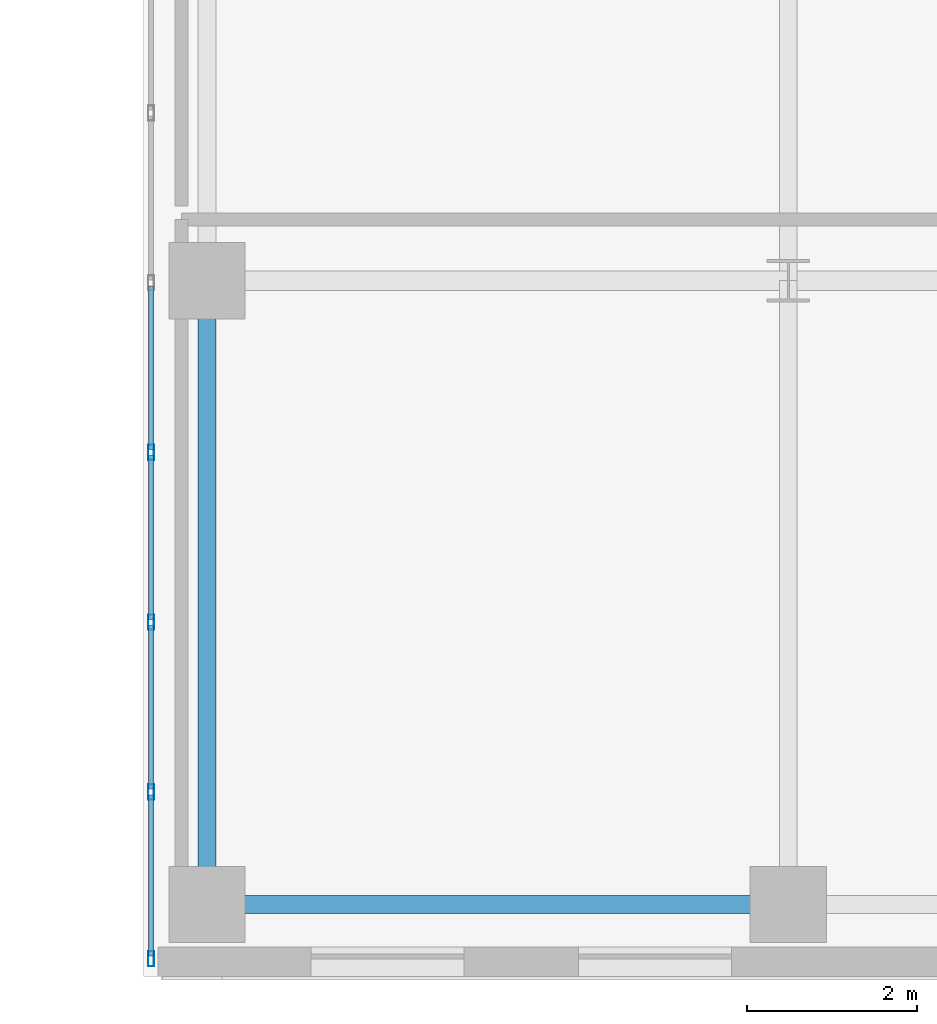
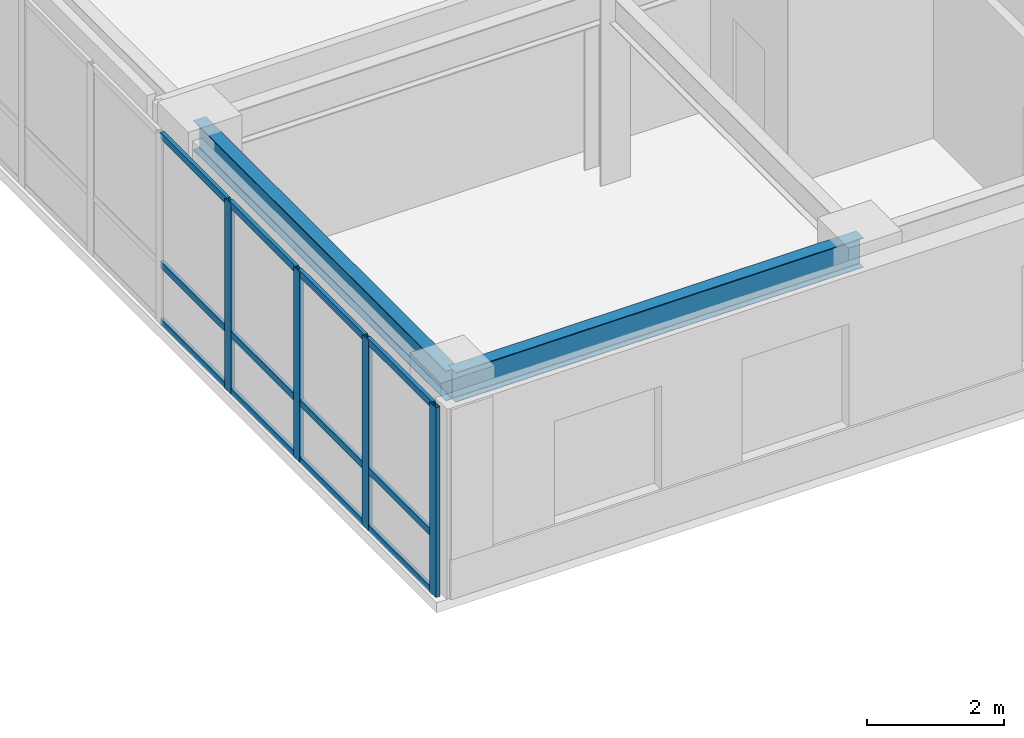
# One storey, part 14 of 37: 16 members, 2 beams, 1 element without a shape of its own.
"""IFC4 building model written with IfcOpenShell, lengths in metres."""

from ifc_helpers import new_model, si_unit, direction, frame, origin, origin_2d, place, context, subcontext, project, spatial, hollow_rectangle, i_section, extrude, source, transform, mapped, material, layer, layer_set, material_profile, profile_set, type_object, type_shapes, element, aggregate, save


model = new_model("IFC4")

# Units and contexts
model_context = context("Model", 3, precision=1e-05, world=origin(), true_north=direction((0.0, 1.0)))
body_context = subcontext(model_context, "Body", "Model", "MODEL_VIEW")
ifc_project = project(units=[si_unit("LENGTHUNIT", "METRE"), si_unit("AREAUNIT", "SQUARE_METRE"), si_unit("VOLUMEUNIT", "CUBIC_METRE"), si_unit("PLANEANGLEUNIT", "RADIAN"), si_unit("MASSUNIT", "GRAM", prefix="KILO")], contexts=[model_context])

# Site, building, storey
site_placement = place(None, origin())
site = spatial("IfcSite", under=ifc_project, at=site_placement, CompositionType="ELEMENT")
building_placement = place(site_placement, origin())
building = spatial("IfcBuilding", under=site, at=building_placement, Name="Tolvann Quenvar Hotel", CompositionType="ELEMENT")
storey_placement = place(building_placement, frame((0.0, 0.0, 104.449951171875)))
storey = spatial("IfcBuildingStorey", under=building, at=storey_placement, Name="L26", CompositionType="ELEMENT", Elevation=104.449951171875)

# Beams
ifc_material_1 = material(Name="Steel Grade 350", Category="steel")
ifc_material_profile_1 = material_profile(ifc_material_1, i_section(OverallWidth=0.208984375, OverallDepth=0.528076171875, WebThickness=0.009521484375, FlangeThickness=0.01318359375, FilletRadius=0.013916015625, at=origin_2d()), Name="530UB82")
ifc_profile_set_1 = profile_set([ifc_material_profile_1], Name="Steel Grade 350")
beam_type_1 = type_object("IfcBeamType", Name="BM_SPAND_530UB82", PredefinedType="SPANDREL", material=ifc_profile_set_1)
shared_shape_1 = source(origin(), body_context, "Body", "SweptSolid", [
    extrude(i_section(OverallWidth=0.208984375, OverallDepth=0.528076171875, WebThickness=0.009521484375, FlangeThickness=0.01318359375, FilletRadius=0.013916015625, at=origin_2d()), origin(), (0.0, 0.0, 1.0), 6.85009765625),
])
type_shapes(beam_type_1, [shared_shape_1])
beam_1_placement = place(storey_placement, frame((34.949951171875, 0.85009765625, 3.10595703125), z_axis=(1.0, 0.0, 0.0), x_axis=(0.0, 1.0, 0.0)))
element("IfcBeam", 1, at=beam_1_placement, inside=storey, type_object=beam_type_1, Name="BM-L26-EW-2-F2-H2", PredefinedType="SPANDREL", context=body_context, shape_type="MappedRepresentation", body=[
    mapped(shared_shape_1, transform((0.0, 0.0, 0.0), x_axis=(1.0, 0.0, 0.0), y_axis=(0.0, 1.0, 0.0), z_axis=(0.0, 0.0, 1.0), scale=1.0)),
])
ifc_material_profile_2 = material_profile(ifc_material_1, i_section(OverallWidth=0.208984375, OverallDepth=0.532958984375, WebThickness=0.01025390625, FlangeThickness=0.015625, FilletRadius=0.013916015625, at=origin_2d()), Name="530UB92")
ifc_profile_set_2 = profile_set([ifc_material_profile_2], Name="Steel Grade 350")
beam_type_2 = type_object("IfcBeamType", Name="BM_GIRD_530UB92", PredefinedType="BEAM", material=ifc_profile_set_2)
shared_shape_2 = source(origin(), body_context, "Body", "SweptSolid", [
    extrude(i_section(OverallWidth=0.208984375, OverallDepth=0.532958984375, WebThickness=0.01025390625, FlangeThickness=0.015625, FilletRadius=0.013916015625, at=origin_2d()), origin(), (0.0, 0.0, 1.0), 7.349853515625),
])
type_shapes(beam_type_2, [shared_shape_2])
beam_2_placement = place(storey_placement, frame((34.949951171875, 0.85009765625, 3.103515625), z_axis=(0.0, 1.0, 0.0), x_axis=(-1.0, 0.0, 0.0)))
element("IfcBeam", 2, at=beam_2_placement, inside=storey, type_object=beam_type_2, Name="BM-L26-NS-F2-F3", PredefinedType="BEAM", context=body_context, shape_type="MappedRepresentation", body=[
    mapped(shared_shape_2, transform((0.0, 0.0, 0.0), x_axis=(1.0, 0.0, 0.0), y_axis=(0.0, 1.0, 0.0), z_axis=(0.0, 0.0, 1.0), scale=1.0)),
])

# Curtain wall, members
ifc_material_2 = material(Name="Thermally broken anodised architectural aluminium 6063-T6 and laminated low-E glass", Category="aluminium")
ifc_layer = layer(ifc_material_2, 0.179931640625)
ifc_layer_set = layer_set([ifc_layer], Name="Thermally broken anodised architectural aluminium 6063-T6 and laminated low-E glass")
curtain_wall_type = type_object("IfcCurtainWallType", Name="CW_SYS_SLOT_03", PredefinedType="USERDEFINED", material=ifc_layer_set)
curtain_wall_placement = place(storey_placement, origin())
curtain_wall = element("IfcCurtainWall", 3, at=curtain_wall_placement, inside=storey, type_object=curtain_wall_type, Name="Curtain Wall CW-SLOT-03 (CWR-L26-E07)", ObjectType="UNITISED CURTAIN WALL", PredefinedType="USERDEFINED")
ifc_material_3 = material(Name="Anodised architectural aluminium 6063-T6 framing", Category="aluminium")
ifc_material_profile_3 = material_profile(ifc_material_3, hollow_rectangle(XDim=0.070068359375, YDim=0.179931640625, WallThickness=0.00390625, at=origin_2d()), Name="180x70x4RHS")
ifc_profile_set_3 = profile_set([ifc_material_profile_3], Name="Anodised architectural aluminium 6063-T6 framing")
member_type_1 = type_object("IfcMemberType", Name="CW_MULL_180x70", PredefinedType="MULLION", material=ifc_profile_set_3)
shared_shape_3 = source(origin(), body_context, "Body", "SweptSolid", [
    extrude(hollow_rectangle(XDim=0.070068359375, YDim=0.179931640625, WallThickness=0.00390625, at=origin_2d()), origin(), (0.0, 0.0, 1.0), 3.3701171875),
])
type_shapes(member_type_1, [shared_shape_3])
member_1_placement = place(storey_placement, frame((34.2900390625, 6.175048828125, 0.0), z_axis=(0.0, 0.0, 1.0), x_axis=(1.0, 0.0, 0.0)))
member_1 = element("IfcMember", 4, at=member_1_placement, type_object=member_type_1, Name="CW-SLOT-03 mullion 6", PredefinedType="MULLION", context=body_context, shape_type="MappedRepresentation", body=[
    mapped(shared_shape_3, transform((0.0, 0.0, 0.0), x_axis=(1.0, 0.0, 0.0), y_axis=(0.0, 1.0, 0.0), z_axis=(0.0, 0.0, 1.0), scale=1.0)),
])
member_2_placement = place(storey_placement, frame((34.2900390625, 4.175048828125, 0.0), z_axis=(0.0, 0.0, 1.0), x_axis=(1.0, 0.0, 0.0)))
member_2 = element("IfcMember", 5, at=member_2_placement, type_object=member_type_1, Name="CW-SLOT-03 mullion 7", PredefinedType="MULLION", context=body_context, shape_type="MappedRepresentation", body=[
    mapped(shared_shape_3, transform((0.0, 0.0, 0.0), x_axis=(1.0, 0.0, 0.0), y_axis=(0.0, 1.0, 0.0), z_axis=(0.0, 0.0, 1.0), scale=1.0)),
])
member_3_placement = place(storey_placement, frame((34.2900390625, 2.175048828125, 0.0), z_axis=(0.0, 0.0, 1.0), x_axis=(1.0, 0.0, 0.0)))
member_3 = element("IfcMember", 6, at=member_3_placement, type_object=member_type_1, Name="CW-SLOT-03 mullion 8", PredefinedType="MULLION", context=body_context, shape_type="MappedRepresentation", body=[
    mapped(shared_shape_3, transform((0.0, 0.0, 0.0), x_axis=(1.0, 0.0, 0.0), y_axis=(0.0, 1.0, 0.0), z_axis=(0.0, 0.0, 1.0), scale=1.0)),
])
member_4_placement = place(storey_placement, frame((34.2900390625, 0.2099609375, 0.0), z_axis=(0.0, 0.0, 1.0), x_axis=(1.0, 0.0, 0.0)))
member_4 = element("IfcMember", 7, at=member_4_placement, type_object=member_type_1, Name="CW-SLOT-03 mullion 9", PredefinedType="MULLION", context=body_context, shape_type="MappedRepresentation", body=[
    mapped(shared_shape_3, transform((0.0, 0.0, 0.0), x_axis=(1.0, 0.0, 0.0), y_axis=(0.0, 1.0, 0.0), z_axis=(0.0, 0.0, 1.0), scale=1.0)),
])
ifc_material_profile_4 = material_profile(ifc_material_3, hollow_rectangle(XDim=0.06005859375, YDim=0.1201171875, WallThickness=0.00341796875, at=origin_2d()), Name="120x60x3.5RHS")
ifc_profile_set_4 = profile_set([ifc_material_profile_4], Name="Anodised architectural aluminium 6063-T6 framing")
member_type_2 = type_object("IfcMemberType", Name="CW_TRAN_120x60", PredefinedType="USERDEFINED", material=ifc_profile_set_4)
shared_shape_4 = source(origin(), body_context, "Body", "SweptSolid", [
    extrude(hollow_rectangle(XDim=0.06005859375, YDim=0.1201171875, WallThickness=0.00341796875, at=origin_2d()), origin(), (0.0, 0.0, 1.0), 1.894775390625),
])
member_5_placement = place(storey_placement, frame((34.2900390625, 2.139892578125, 0.030029296875), z_axis=(0.0, -1.0, 0.0), x_axis=(1.0, 0.0, 0.0)))
member_5 = element("IfcMember", 8, at=member_5_placement, type_object=member_type_2, Name="CW-SLOT-03 transom 8.1", ObjectType="TRANSOM", PredefinedType="USERDEFINED", context=body_context, shape_type="MappedRepresentation", body=[
    mapped(shared_shape_4, transform((0.0, 0.0, 0.0), x_axis=(1.0, 0.0, 0.0), y_axis=(0.0, 1.0, 0.0), z_axis=(0.0, 0.0, 1.0), scale=1.0)),
])
member_6_placement = place(storey_placement, frame((34.2900390625, 2.139892578125, 1.050048828125), z_axis=(0.0, -1.0, 0.0), x_axis=(1.0, 0.0, 0.0)))
member_6 = element("IfcMember", 9, at=member_6_placement, type_object=member_type_2, Name="CW-SLOT-03 transom 8.2", ObjectType="TRANSOM", PredefinedType="USERDEFINED", context=body_context, shape_type="MappedRepresentation", body=[
    mapped(shared_shape_4, transform((0.0, 0.0, 0.0), x_axis=(1.0, 0.0, 0.0), y_axis=(0.0, 1.0, 0.0), z_axis=(0.0, 0.0, 1.0), scale=1.0)),
])
member_7_placement = place(storey_placement, frame((34.2900390625, 2.139892578125, 3.340087890625), z_axis=(0.0, -1.0, 0.0), x_axis=(1.0, 0.0, 0.0)))
member_7 = element("IfcMember", 10, at=member_7_placement, type_object=member_type_2, Name="CW-SLOT-03 transom 8.3", ObjectType="TRANSOM", PredefinedType="USERDEFINED", context=body_context, shape_type="MappedRepresentation", body=[
    mapped(shared_shape_4, transform((0.0, 0.0, 0.0), x_axis=(1.0, 0.0, 0.0), y_axis=(0.0, 1.0, 0.0), z_axis=(0.0, 0.0, 1.0), scale=1.0)),
])
shared_shape_5 = source(origin(), body_context, "Body", "SweptSolid", [
    extrude(hollow_rectangle(XDim=0.06005859375, YDim=0.1201171875, WallThickness=0.00341796875, at=origin_2d()), origin(), (0.0, 0.0, 1.0), 1.929931640625),
])
type_shapes(member_type_2, [shared_shape_4, shared_shape_5])
member_8_placement = place(storey_placement, frame((34.2900390625, 8.139892578125, 0.030029296875), z_axis=(0.0, -1.0, 0.0), x_axis=(1.0, 0.0, 0.0)))
member_8 = element("IfcMember", 11, at=member_8_placement, type_object=member_type_2, Name="CW-SLOT-03 transom 5.1", ObjectType="TRANSOM", PredefinedType="USERDEFINED", context=body_context, shape_type="MappedRepresentation", body=[
    mapped(shared_shape_5, transform((0.0, 0.0, 0.0), x_axis=(1.0, 0.0, 0.0), y_axis=(0.0, 1.0, 0.0), z_axis=(0.0, 0.0, 1.0), scale=1.0)),
])
member_9_placement = place(storey_placement, frame((34.2900390625, 8.139892578125, 1.050048828125), z_axis=(0.0, -1.0, 0.0), x_axis=(1.0, 0.0, 0.0)))
member_9 = element("IfcMember", 12, at=member_9_placement, type_object=member_type_2, Name="CW-SLOT-03 transom 5.2", ObjectType="TRANSOM", PredefinedType="USERDEFINED", context=body_context, shape_type="MappedRepresentation", body=[
    mapped(shared_shape_5, transform((0.0, 0.0, 0.0), x_axis=(1.0, 0.0, 0.0), y_axis=(0.0, 1.0, 0.0), z_axis=(0.0, 0.0, 1.0), scale=1.0)),
])
member_10_placement = place(storey_placement, frame((34.2900390625, 8.139892578125, 3.340087890625), z_axis=(0.0, -1.0, 0.0), x_axis=(1.0, 0.0, 0.0)))
member_10 = element("IfcMember", 13, at=member_10_placement, type_object=member_type_2, Name="CW-SLOT-03 transom 5.3", ObjectType="TRANSOM", PredefinedType="USERDEFINED", context=body_context, shape_type="MappedRepresentation", body=[
    mapped(shared_shape_5, transform((0.0, 0.0, 0.0), x_axis=(1.0, 0.0, 0.0), y_axis=(0.0, 1.0, 0.0), z_axis=(0.0, 0.0, 1.0), scale=1.0)),
])
member_11_placement = place(storey_placement, frame((34.2900390625, 6.139892578125, 0.030029296875), z_axis=(0.0, -1.0, 0.0), x_axis=(1.0, 0.0, 0.0)))
member_11 = element("IfcMember", 14, at=member_11_placement, type_object=member_type_2, Name="CW-SLOT-03 transom 6.1", ObjectType="TRANSOM", PredefinedType="USERDEFINED", context=body_context, shape_type="MappedRepresentation", body=[
    mapped(shared_shape_5, transform((0.0, 0.0, 0.0), x_axis=(1.0, 0.0, 0.0), y_axis=(0.0, 1.0, 0.0), z_axis=(0.0, 0.0, 1.0), scale=1.0)),
])
member_12_placement = place(storey_placement, frame((34.2900390625, 6.139892578125, 1.050048828125), z_axis=(0.0, -1.0, 0.0), x_axis=(1.0, 0.0, 0.0)))
member_12 = element("IfcMember", 15, at=member_12_placement, type_object=member_type_2, Name="CW-SLOT-03 transom 6.2", ObjectType="TRANSOM", PredefinedType="USERDEFINED", context=body_context, shape_type="MappedRepresentation", body=[
    mapped(shared_shape_5, transform((0.0, 0.0, 0.0), x_axis=(1.0, 0.0, 0.0), y_axis=(0.0, 1.0, 0.0), z_axis=(0.0, 0.0, 1.0), scale=1.0)),
])
member_13_placement = place(storey_placement, frame((34.2900390625, 6.139892578125, 3.340087890625), z_axis=(0.0, -1.0, 0.0), x_axis=(1.0, 0.0, 0.0)))
member_13 = element("IfcMember", 16, at=member_13_placement, type_object=member_type_2, Name="CW-SLOT-03 transom 6.3", ObjectType="TRANSOM", PredefinedType="USERDEFINED", context=body_context, shape_type="MappedRepresentation", body=[
    mapped(shared_shape_5, transform((0.0, 0.0, 0.0), x_axis=(1.0, 0.0, 0.0), y_axis=(0.0, 1.0, 0.0), z_axis=(0.0, 0.0, 1.0), scale=1.0)),
])
member_14_placement = place(storey_placement, frame((34.2900390625, 4.139892578125, 0.030029296875), z_axis=(0.0, -1.0, 0.0), x_axis=(1.0, 0.0, 0.0)))
member_14 = element("IfcMember", 17, at=member_14_placement, type_object=member_type_2, Name="CW-SLOT-03 transom 7.1", ObjectType="TRANSOM", PredefinedType="USERDEFINED", context=body_context, shape_type="MappedRepresentation", body=[
    mapped(shared_shape_5, transform((0.0, 0.0, 0.0), x_axis=(1.0, 0.0, 0.0), y_axis=(0.0, 1.0, 0.0), z_axis=(0.0, 0.0, 1.0), scale=1.0)),
])
member_15_placement = place(storey_placement, frame((34.2900390625, 4.139892578125, 1.050048828125), z_axis=(0.0, -1.0, 0.0), x_axis=(1.0, 0.0, 0.0)))
member_15 = element("IfcMember", 18, at=member_15_placement, type_object=member_type_2, Name="CW-SLOT-03 transom 7.2", ObjectType="TRANSOM", PredefinedType="USERDEFINED", context=body_context, shape_type="MappedRepresentation", body=[
    mapped(shared_shape_5, transform((0.0, 0.0, 0.0), x_axis=(1.0, 0.0, 0.0), y_axis=(0.0, 1.0, 0.0), z_axis=(0.0, 0.0, 1.0), scale=1.0)),
])
member_16_placement = place(storey_placement, frame((34.2900390625, 4.139892578125, 3.340087890625), z_axis=(0.0, -1.0, 0.0), x_axis=(1.0, 0.0, 0.0)))
member_16 = element("IfcMember", 19, at=member_16_placement, type_object=member_type_2, Name="CW-SLOT-03 transom 7.3", ObjectType="TRANSOM", PredefinedType="USERDEFINED", context=body_context, shape_type="MappedRepresentation", body=[
    mapped(shared_shape_5, transform((0.0, 0.0, 0.0), x_axis=(1.0, 0.0, 0.0), y_axis=(0.0, 1.0, 0.0), z_axis=(0.0, 0.0, 1.0), scale=1.0)),
])
aggregate(curtain_wall, [member_1, member_2, member_3, member_4, member_8, member_9, member_10, member_11, member_12, member_13, member_14, member_15, member_16, member_5, member_6, member_7])

save(model, "model.ifc")
